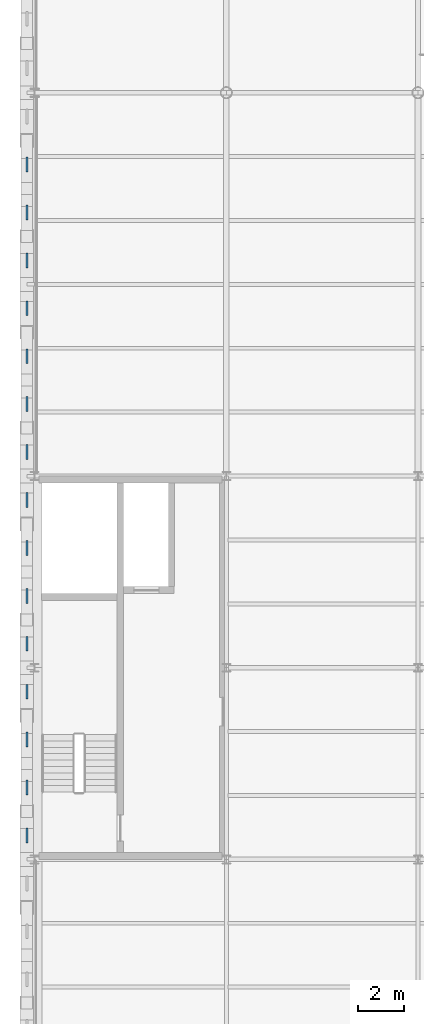
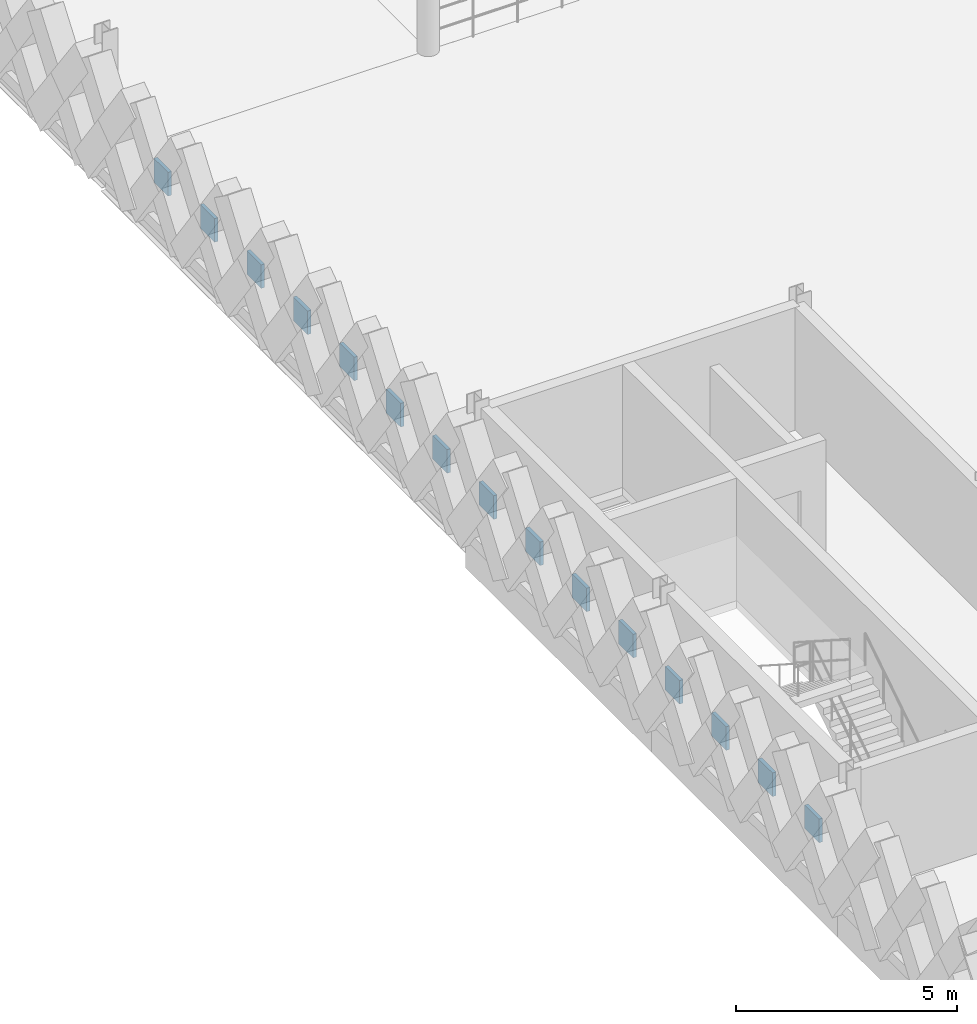
# One storey, part 57 of 79: 15 plates.
"""IFC4 building model written with IfcOpenShell, lengths in metres."""

from ifc_helpers import new_model, si_unit, direction, frame, origin, origin_2d, place, context, subcontext, project, spatial, rectangle, extrude, material, layer, layer_set, type_object, element, save


model = new_model("IFC4")

# Units and contexts
model_context = context("Model", 3, precision=1e-05, world=origin(), true_north=direction((0.0, 1.0)))
body_context = subcontext(model_context, "Body", "Model", "MODEL_VIEW")
ifc_project = project(units=[si_unit("LENGTHUNIT", "METRE"), si_unit("AREAUNIT", "SQUARE_METRE"), si_unit("VOLUMEUNIT", "CUBIC_METRE"), si_unit("PLANEANGLEUNIT", "RADIAN"), si_unit("MASSUNIT", "GRAM", prefix="KILO"), si_unit("THERMODYNAMICTEMPERATUREUNIT", "KELVIN"), si_unit("POWERUNIT", "WATT")], contexts=[model_context])

# Site, building, storey
site_placement = place(None, origin())
site = spatial("IfcSite", under=ifc_project, at=site_placement, CompositionType="ELEMENT")
building_placement = place(site_placement, origin())
building = spatial("IfcBuilding", under=site, at=building_placement, Name="Tembeka Court Mobility Hub", CompositionType="ELEMENT")
storey_placement = place(building_placement, frame((0.0, 0.0, 9.0)))
storey = spatial("IfcBuildingStorey", under=building, at=storey_placement, Name="L02", CompositionType="ELEMENT", Elevation=9.0)

# Plates
ifc_material = material(Name="Precast concrete C45/55", Category="concrete")
ifc_layer = layer(ifc_material, 0.090087890625)
ifc_layer_set = layer_set([ifc_layer], Name="Precast concrete C45/55")
plate_type = type_object("IfcPlateType", Name="PL-PC01", PredefinedType="SHEET", material=ifc_layer_set)
for number, where, z_axis, x_axis, name in (
    (1, (-0.340087890625, 64.64990234375, 1.16015625), (0.0, 0.0, 1.0), (1.0, 0.0, 0.0), "Precast diamond lattice node plate PCN01 (L02-307)"),
    (2, (-0.340087890625, 66.75, 1.16015625), (0.0, 0.0, 1.0), (1.0, 0.0, 0.0), "Precast diamond lattice node plate PCN01 (L02-308)"),
    (3, (-0.340087890625, 68.85009765625, 1.16015625), (0.0, 0.0, 1.0), (1.0, 0.0, 0.0), "Precast diamond lattice node plate PCN01 (L02-309)"),
    (4, (-0.340087890625, 70.949951171875, 1.16015625), (0.0, 0.0, 1.0), (1.0, 0.0, 0.0), "Precast diamond lattice node plate PCN01 (L02-310)"),
    (5, (-0.340087890625, 73.050048828125, 1.16015625), (0.0, 0.0, 1.0), (1.0, 0.0, 0.0), "Precast diamond lattice node plate PCN01 (L02-311)"),
    (6, (-0.340087890625, 75.14990234375, 1.16015625), (0.0, 0.0, 1.0), (1.0, 0.0, 0.0), "Precast diamond lattice node plate PCN01 (L02-312)"),
    (7, (-0.340087890625, 77.25, 1.16015625), (0.0, 0.0, 1.0), (1.0, 0.0, 0.0), "Precast diamond lattice node plate PCN01 (L02-313)"),
    (8, (-0.340087890625, 79.35009765625, 1.16015625), (0.0, 0.0, 1.0), (1.0, 0.0, 0.0), "Precast diamond lattice node plate PCN01 (L02-314)"),
    (9, (-0.340087890625, 81.449951171875, 1.16015625), (0.0, 0.0, 1.0), (1.0, 0.0, 0.0), "Precast diamond lattice node plate PCN01 (L02-315)"),
    (10, (-0.340087890625, 83.550048828125, 1.16015625), (0.0, 0.0, 1.0), (1.0, 0.0, 0.0), "Precast diamond lattice node plate PCN01 (L02-316)"),
    (11, (-0.340087890625, 85.64990234375, 1.16015625), (0.0, 0.0, 1.0), (1.0, 0.0, 0.0), "Precast diamond lattice node plate PCN01 (L02-317)"),
    (12, (-0.340087890625, 87.75, 1.16015625), (0.0, 0.0, 1.0), (1.0, 0.0, 0.0), "Precast diamond lattice node plate PCN01 (L02-318)"),
    (13, (-0.340087890625, 89.85009765625, 1.16015625), (0.0, 0.0, 1.0), (1.0, 0.0, 0.0), "Precast diamond lattice node plate PCN01 (L02-319)"),
    (14, (-0.340087890625, 91.949951171875, 1.16015625), (0.0, 0.0, 1.0), (1.0, 0.0, 0.0), "Precast diamond lattice node plate PCN01 (L02-320)"),
    (15, (-0.340087890625, 94.050048828125, 1.16015625), (0.0, 0.0, 1.0), (1.0, 0.0, 0.0), "Precast diamond lattice node plate PCN01 (L02-321)"),
):
    element("IfcPlate", number, at=place(storey_placement, frame(where, z_axis=z_axis, x_axis=x_axis)), inside=storey, type_object=plate_type, Name=name, PredefinedType="SHEET", context=body_context, shape_type="SweptSolid", body=[
        extrude(rectangle(XDim=0.090087890625, YDim=0.64990234375, at=origin_2d()), origin(), (0.0, 0.0, 1.0), 0.64990234375),
    ])

save(model, "model.ifc")
